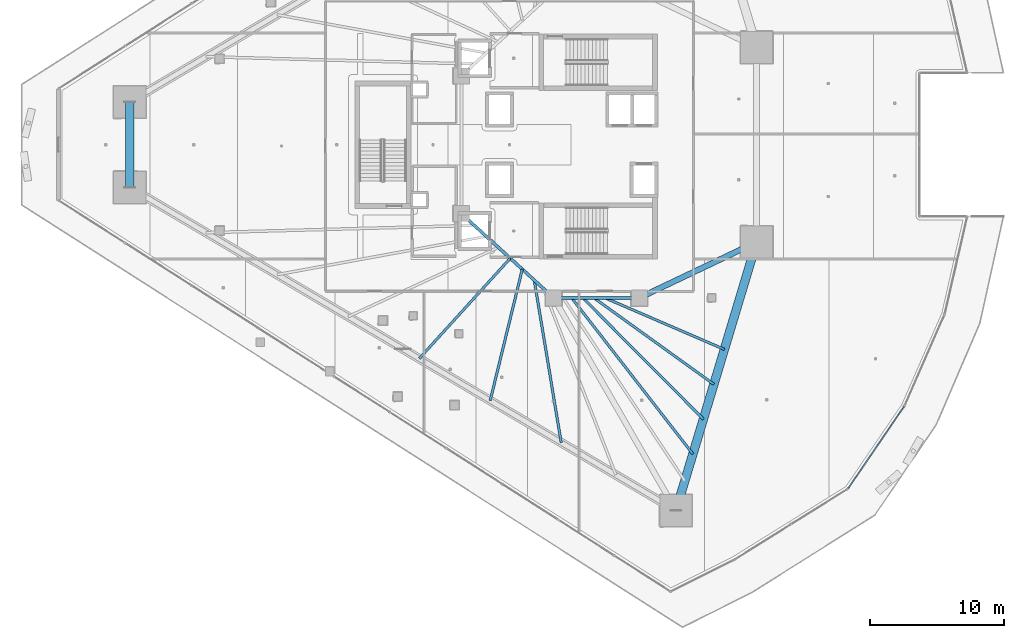
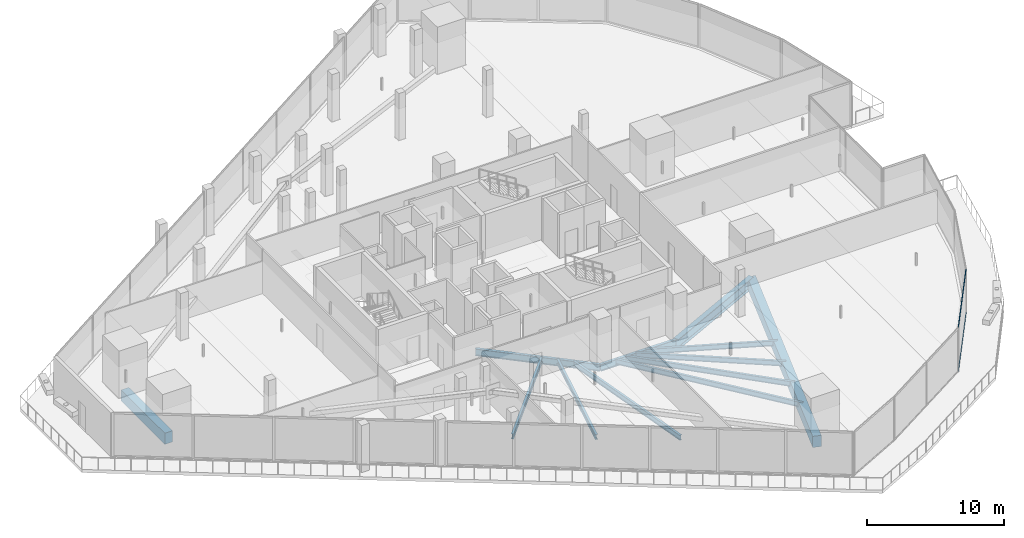
# One storey, part 11 of 45: 12 beams, 2 members, 1 element without a shape of its own.
"""IFC4 building model written with IfcOpenShell, lengths in metres."""

import ifcopenshell
import ifcopenshell.guid

model = None  # the IFC model being written
_history = None  # IfcOwnerHistory: only IFC2X3 demands one
_inside = {}  # id of a spatial element -> (the spatial element, [elements in it])
_under = {}  # id of a project, library or spatial element -> (it, [spatial elements below it])
_declared = {}  # id of a project -> (the project, [libraries it declares])
_typed = {}  # id of a type object -> (the type object, [elements of that type])
_made_of = {}  # id of a material, layer set ... -> (it, [elements and type objects made of it])


def new_model(schema):
    """Start an empty IFC model of exactly this schema.

    Asked for "IFC4X3", IfcOpenShell would pick the latest addendum, in which some entities
    have other attributes; the version numbers below select the first issue.
    IFC2X3 requires an IfcOwnerHistory on every rooted entity: one is made here for all.
    """
    global model, _history
    if schema == "IFC4X3":
        model = ifcopenshell.file(schema_version=(4, 3, 0, 0))
    else:
        model = ifcopenshell.file(schema=schema)
    _inside.clear()
    _under.clear()
    _declared.clear()
    _typed.clear()
    _made_of.clear()
    _history = None
    if model.schema == "IFC2X3":
        org = make("IfcOrganization", Name="unknown")
        user = make(
            "IfcPersonAndOrganization",
            ThePerson=make("IfcPerson", FamilyName="unknown"),
            TheOrganization=org,
        )
        app = make(
            "IfcApplication",
            ApplicationDeveloper=org,
            Version="unknown",
            ApplicationFullName="unknown",
            ApplicationIdentifier="unknown",
        )
        _history = make(
            "IfcOwnerHistory",
            OwningUser=user,
            OwningApplication=app,
            ChangeAction="ADDED",
            CreationDate=0,
        )
    return model


def make(cls, **values):
    """One entity of the class cls with the attributes given. An attribute that is None is left unset."""
    return model.create_entity(
        cls, **{name: value for name, value in values.items() if value is not None}
    )


def rooted(cls, **values):
    """An entity with a GlobalId (a new one), such as an element, a storey or a relation."""
    return make(cls, GlobalId=ifcopenshell.guid.new(), OwnerHistory=_history, **values)


def si_unit(unit_type, name, prefix=None):
    """IfcSIUnit, for example si_unit("LENGTHUNIT", "METRE", prefix="MILLI")."""
    return make("IfcSIUnit", UnitType=unit_type, Prefix=prefix, Name=name)


def assignment(units):
    """IfcUnitAssignment: the units of a project."""
    return None if units is None else make("IfcUnitAssignment", Units=units)


def point(xyz):
    """IfcCartesianPoint."""
    return None if xyz is None else make("IfcCartesianPoint", Coordinates=xyz)


def direction(xyz):
    """IfcDirection."""
    return None if xyz is None else make("IfcDirection", DirectionRatios=xyz)


def frame(location, z_axis=None, x_axis=None):
    """IfcAxis2Placement3D, a coordinate frame: its origin and axes. An axis left out is left unset."""
    return make(
        "IfcAxis2Placement3D",
        Location=point(location),
        Axis=direction(z_axis),
        RefDirection=direction(x_axis),
    )


def frame_2d(location, x_axis=None):
    """IfcAxis2Placement2D, a coordinate frame in the plane: its origin and x axis."""
    return make(
        "IfcAxis2Placement2D", Location=point(location), RefDirection=direction(x_axis)
    )


def origin():
    """The frame at (0, 0, 0) with its axes left unset."""
    return frame((0.0, 0.0, 0.0))


def origin_2d():
    """The frame at (0, 0) in the plane with its x axis left unset."""
    return frame_2d((0.0, 0.0))


def place(relative_to, where):
    """IfcLocalPlacement: puts the frame where relative to a parent placement (None: the world)."""
    return make(
        "IfcLocalPlacement", PlacementRelTo=relative_to, RelativePlacement=where
    )


def context(
    kind, dimensions, precision=None, world=None, true_north=None, identifier=None
):
    """IfcGeometricRepresentationContext, for example the 3D "Model" context."""
    return make(
        "IfcGeometricRepresentationContext",
        ContextIdentifier=identifier,
        ContextType=kind,
        CoordinateSpaceDimension=dimensions,
        Precision=precision,
        WorldCoordinateSystem=world,
        TrueNorth=true_north,
    )


def subcontext(parent, identifier, kind, view, scale=None):
    """IfcGeometricRepresentationSubContext, for example "Body" below "Model"."""
    return make(
        "IfcGeometricRepresentationSubContext",
        ContextIdentifier=identifier,
        ContextType=kind,
        ParentContext=parent,
        TargetScale=scale,
        TargetView=view,
    )


def project(units=None, contexts=None):
    """IfcProject with its units and contexts."""
    return rooted(
        "IfcProject",
        Name="project",
        RepresentationContexts=contexts,
        UnitsInContext=assignment(units),
    )


def spatial(cls, under=None, at=None, **own):
    """A site, building, storey or space (cls), placed at a placement, below another one or the project."""
    s = rooted(cls, ObjectPlacement=at, **own)
    if under is not None:
        _under.setdefault(under.id(), (under, []))[1].append(s)
    return s


def profile(cls, at=None, kind="AREA", **sizes):
    """A parametric profile (cls). Its sizes go by their IFC names, for example OverallWidth=200.0."""
    return make(cls, ProfileType=kind, Position=at, **sizes)


def rectangle(**sizes):
    """IfcRectangleProfileDef."""
    return profile("IfcRectangleProfileDef", **sizes)


def hollow_rectangle(**sizes):
    """IfcRectangleHollowProfileDef."""
    return profile("IfcRectangleHollowProfileDef", **sizes)


def i_section(**sizes):
    """IfcIShapeProfileDef."""
    return profile("IfcIShapeProfileDef", **sizes)


def extrude(swept, where, along, depth):
    """IfcExtrudedAreaSolid: the profile swept, set in the frame where, extruded along a direction by depth."""
    return make(
        "IfcExtrudedAreaSolid",
        SweptArea=swept,
        Position=where,
        ExtrudedDirection=direction(along),
        Depth=depth,
    )


def shape(context_of_items, identifier, shape_type, items):
    """IfcShapeRepresentation: the items that make up one representation, for example the "Body"."""
    return make(
        "IfcShapeRepresentation",
        ContextOfItems=context_of_items,
        RepresentationIdentifier=identifier,
        RepresentationType=shape_type,
        Items=items,
    )


def material(Name=None, Category=None):
    """IfcMaterial."""
    return make("IfcMaterial", Name=Name, Category=Category)


def layer(
    of_material, thickness, ventilated=None, Name=None, Category=None, Priority=None
):
    """IfcMaterialLayer: one layer of a wall or slab, of a material (None: an air gap)."""
    return make(
        "IfcMaterialLayer",
        Material=of_material,
        LayerThickness=thickness,
        IsVentilated=ventilated,
        Name=Name,
        Category=Category,
        Priority=Priority,
    )


def layer_set(layers, Name=None):
    """IfcMaterialLayerSet."""
    return make("IfcMaterialLayerSet", MaterialLayers=layers, LayerSetName=Name)


def material_profile(
    of_material, cross_section, Name=None, Category=None, Priority=None
):
    """IfcMaterialProfile: a cross section and its material."""
    return make(
        "IfcMaterialProfile",
        Name=Name,
        Material=of_material,
        Profile=cross_section,
        Priority=Priority,
        Category=Category,
    )


def profile_set(profiles, Name=None, composite=None):
    """IfcMaterialProfileSet."""
    return make(
        "IfcMaterialProfileSet",
        Name=Name,
        MaterialProfiles=profiles,
        CompositeProfile=composite,
    )


def made_of(thing, what):
    """Note that an element or type object is made of a material, layer set ...; save() writes the relation."""
    if what is not None:
        _made_of.setdefault(what.id(), (what, []))[1].append(thing)
    return thing


def type_object(cls, material=None, **own):
    """A type object (cls), such as IfcWallType, which elements share."""
    return made_of(rooted(cls, **own), material)


def element(
    cls,
    number,
    at=None,
    inside=None,
    cuts=None,
    type_object=None,
    material=None,
    context=None,
    identifier="Body",
    shape_type=None,
    held_by="IfcProductDefinitionShape",
    body=None,
    shapes=None,
    **own,
):
    """One element of the class cls, such as IfcWall. Its Tag is "e" and its number.

    at: its placement. inside: the storey or other place that contains it. cuts: it is an
    opening in that element (IfcRelVoidsElement). A single representation is given by context,
    identifier, shape_type and body (its items); several are given by shapes. held_by: the class
    of the entity that holds the representations. save() writes the other relations.
    """
    e = rooted(cls, Tag="e%d" % number, ObjectPlacement=at, **own)
    if body is not None:
        shapes = [shape(context, identifier, shape_type, body)]
    if shapes is not None:
        e.Representation = make(held_by, Representations=shapes)
    if inside is not None:
        _inside.setdefault(inside.id(), (inside, []))[1].append(e)
    if cuts is not None:
        rooted(
            "IfcRelVoidsElement", RelatingBuildingElement=cuts, RelatedOpeningElement=e
        )
    if type_object is not None:
        _typed.setdefault(type_object.id(), (type_object, []))[1].append(e)
    return made_of(e, material)


def aggregate(whole, parts):
    """IfcRelAggregates: a whole, such as a stair, and the parts it consists of."""
    return rooted("IfcRelAggregates", RelatingObject=whole, RelatedObjects=parts)


def save(model, path):
    """Write the relations noted so far, then the file.

    IfcRelAggregates (storeys below a building ...), IfcRelContainedInSpatialStructure (elements
    in a storey), IfcRelDefinesByType, IfcRelAssociatesMaterial and IfcRelDeclares: one each for
    every whole, place, type object, material and project.
    """
    for whole, parts in _under.values():
        aggregate(whole, parts)
    for where, things in _inside.values():
        rooted(
            "IfcRelContainedInSpatialStructure",
            RelatedElements=things,
            RelatingStructure=where,
        )
    for kind, things in _typed.values():
        rooted("IfcRelDefinesByType", RelatedObjects=things, RelatingType=kind)
    for what, things in _made_of.values():
        rooted("IfcRelAssociatesMaterial", RelatedObjects=things, RelatingMaterial=what)
    for by, libraries in _declared.values():
        rooted("IfcRelDeclares", RelatingContext=by, RelatedDefinitions=libraries)
    model.write(path)


model = new_model("IFC4")

# Units and contexts
model_context = context("Model", 3, precision=1e-05, world=origin(), true_north=direction((0.0, 1.0)))
body_context = subcontext(model_context, "Body", "Model", "MODEL_VIEW")
ifc_project = project(units=[si_unit("LENGTHUNIT", "METRE"), si_unit("AREAUNIT", "SQUARE_METRE"), si_unit("VOLUMEUNIT", "CUBIC_METRE"), si_unit("PLANEANGLEUNIT", "RADIAN"), si_unit("MASSUNIT", "GRAM", prefix="KILO")], contexts=[model_context])

# Site, building, storey
site_placement = place(None, origin())
site = spatial("IfcSite", under=ifc_project, at=site_placement, CompositionType="ELEMENT")
building_placement = place(site_placement, origin())
building = spatial("IfcBuilding", under=site, at=building_placement, Name="Qorvath Tower", CompositionType="ELEMENT")
storey_placement = place(building_placement, frame((0.0, 0.0, 49.199951171875)))
storey = spatial("IfcBuildingStorey", under=building, at=storey_placement, Name="L10", CompositionType="ELEMENT", Elevation=49.199951171875)

# Beams
ifc_material_1 = material(Name="Steel ASTM A992 Grade 50", Category="steel")
ifc_material_profile_1 = material_profile(ifc_material_1, i_section(OverallWidth=0.422119140625, OverallDepth=0.93310546875, WebThickness=0.021240234375, FlangeThickness=0.039794921875, FilletRadius=0.02392578125, at=origin_2d()), Name="W36x262")
ifc_profile_set_1 = profile_set([ifc_material_profile_1], Name="Steel ASTM A992 Grade 50")
beam_type_1 = type_object("IfcBeamType", Name="BM-FG1", PredefinedType="BEAM", material=ifc_profile_set_1)
beam_1_placement = place(storey_placement, frame((-17.199951171875, -11.449951171875, -0.74658203125), z_axis=(0.902955751435, 0.429733534821, 0.0), x_axis=(-0.429733534821, 0.902955751435, 0.0)))
element("IfcBeam", 1, at=beam_1_placement, inside=storey, type_object=beam_type_1, Name="Radial Floor Girder CC3-MC4 L10", PredefinedType="BEAM", context=body_context, shape_type="SweptSolid", body=[
    extrude(i_section(OverallWidth=0.422119140625, OverallDepth=0.93310546875, WebThickness=0.021240234375, FlangeThickness=0.039794921875, FilletRadius=0.02392578125, at=origin_2d()), origin(), (0.0, 0.0, 1.0), 9.7119140625),
])
ifc_material_2 = material(Name="Steel ASTM A992 Grade 50", Category="steel")
ifc_material_profile_2 = material_profile(ifc_material_2, i_section(OverallWidth=0.22998046875, OverallDepth=0.616943359375, WebThickness=0.01318359375, FlangeThickness=0.022216796875, FilletRadius=0.014892578125, at=origin_2d()), Name="W24x94")
ifc_profile_set_2 = profile_set([ifc_material_profile_2], Name="Steel ASTM A992 Grade 50")
beam_type_2 = type_object("IfcBeamType", Name="BM-FG6", PredefinedType="BEAM", material=ifc_profile_set_2)
beam_2_placement = place(storey_placement, frame((-17.199951171875, -11.449951171875, -0.588623046875), z_axis=(-1.0, 0.0, 0.0), x_axis=(0.0, -1.0, 0.0)))
element("IfcBeam", 2, at=beam_2_placement, inside=storey, type_object=beam_type_2, Name="Core Ring Girder CC3-CC4 L10", PredefinedType="BEAM", context=body_context, shape_type="SweptSolid", body=[
    extrude(i_section(OverallWidth=0.22998046875, OverallDepth=0.616943359375, WebThickness=0.01318359375, FlangeThickness=0.022216796875, FilletRadius=0.014892578125, at=origin_2d()), origin(), (0.0, 0.0, 1.0), 6.400146484375),
])
beam_3_placement = place(storey_placement, frame((-23.60009765625, -11.449951171875, -0.588623046875), z_axis=(-0.73847813985, 0.6742774184, 0.0), x_axis=(-0.6742774184, -0.73847813985, 0.0)))
element("IfcBeam", 3, at=beam_3_placement, inside=storey, type_object=beam_type_2, Name="Core Ring Girder CC4-CC6 L10", PredefinedType="BEAM", context=body_context, shape_type="SweptSolid", body=[
    extrude(i_section(OverallWidth=0.22998046875, OverallDepth=0.616943359375, WebThickness=0.01318359375, FlangeThickness=0.022216796875, FilletRadius=0.014892578125, at=origin_2d()), origin(), (0.0, 0.0, 1.0), 9.343505859375),
])
ifc_material_3 = material(Name="Steel ASTM A992 Grade 50", Category="steel")
ifc_material_profile_3 = material_profile(ifc_material_3, i_section(OverallWidth=0.18994140625, OverallDepth=0.45703125, WebThickness=0.009033203125, FlangeThickness=0.014404296875, FilletRadius=0.011962890625, at=origin_2d()), Name="W18x50")
ifc_profile_set_3 = profile_set([ifc_material_profile_3], Name="Steel ASTM A992 Grade 50")
beam_type_3 = type_object("IfcBeamType", Name="BM-FJ2", PredefinedType="JOIST", material=ifc_profile_set_3)
beam_4_placement = place(storey_placement, frame((-19.760009765625, -11.449951171875, -0.508544921875), z_axis=(0.918135537923, -0.396266493667, 0.0), x_axis=(0.396266493667, 0.918135537923, 0.0)))
element("IfcBeam", 4, at=beam_4_placement, inside=storey, type_object=beam_type_3, Name="Composite Floor Joist SE3 L10", PredefinedType="JOIST", context=body_context, shape_type="SweptSolid", body=[
    extrude(i_section(OverallWidth=0.18994140625, OverallDepth=0.45703125, WebThickness=0.009033203125, FlangeThickness=0.014404296875, FilletRadius=0.011962890625, at=origin_2d()), origin(), (0.0, 0.0, 1.0), 9.7109375),
])
beam_5_placement = place(storey_placement, frame((-20.592041015625, -11.449951171875, -0.508544921875), z_axis=(0.811469358397, -0.584394969505, 0.0), x_axis=(0.584394969505, 0.811469358397, 0.0)))
element("IfcBeam", 5, at=beam_5_placement, inside=storey, type_object=beam_type_3, Name="Composite Floor Joist SE4 L10", PredefinedType="JOIST", context=body_context, shape_type="SweptSolid", body=[
    extrude(i_section(OverallWidth=0.18994140625, OverallDepth=0.45703125, WebThickness=0.009033203125, FlangeThickness=0.014404296875, FilletRadius=0.011962890625, at=origin_2d()), origin(), (0.0, 0.0, 1.0), 11.046142578125),
])
beam_6_placement = place(storey_placement, frame((-21.424072265625, -11.449951171875, -0.508544921875), z_axis=(0.705107654599, -0.709100271771, 0.0), x_axis=(0.709100271771, 0.705107654599, 0.0)))
element("IfcBeam", 6, at=beam_6_placement, inside=storey, type_object=beam_type_3, Name="Composite Floor Joist SE5 L10", PredefinedType="JOIST", context=body_context, shape_type="SweptSolid", body=[
    extrude(i_section(OverallWidth=0.18994140625, OverallDepth=0.45703125, WebThickness=0.009033203125, FlangeThickness=0.014404296875, FilletRadius=0.011962890625, at=origin_2d()), origin(), (0.0, 0.0, 1.0), 12.780029296875),
])
beam_7_placement = place(storey_placement, frame((-22.256103515625, -11.449951171875, -0.508544921875), z_axis=(0.613206963859, -0.789922286984, 0.0), x_axis=(0.789922286984, 0.613206963859, 0.0)))
element("IfcBeam", 7, at=beam_7_placement, inside=storey, type_object=beam_type_3, Name="Composite Floor Joist SE6 L10", PredefinedType="JOIST", context=body_context, shape_type="SweptSolid", body=[
    extrude(i_section(OverallWidth=0.18994140625, OverallDepth=0.45703125, WebThickness=0.009033203125, FlangeThickness=0.014404296875, FilletRadius=0.011962890625, at=origin_2d()), origin(), (0.0, 0.0, 1.0), 14.77294921875),
])
beam_8_placement = place(storey_placement, frame((-26.843017578125, -8.489013671875, -0.508544921875), z_axis=(-0.672128980215, -0.740434084815, 0.0), x_axis=(0.740434084815, -0.672128980215, 0.0)))
element("IfcBeam", 8, at=beam_8_placement, inside=storey, type_object=beam_type_3, Name="Composite Floor Joist SW4 L10", PredefinedType="JOIST", context=body_context, shape_type="SweptSolid", body=[
    extrude(i_section(OverallWidth=0.18994140625, OverallDepth=0.45703125, WebThickness=0.009033203125, FlangeThickness=0.014404296875, FilletRadius=0.011962890625, at=origin_2d()), origin(), (0.0, 0.0, 1.0), 10.1259765625),
])
beam_9_placement = place(storey_placement, frame((-25.946044921875, -9.30810546875, -0.508544921875), z_axis=(-0.237165308581, -0.97146930801, 0.0), x_axis=(0.97146930801, -0.237165308581, 0.0)))
element("IfcBeam", 9, at=beam_9_placement, inside=storey, type_object=beam_type_3, Name="Composite Floor Joist SW5 L10", PredefinedType="JOIST", context=body_context, shape_type="SweptSolid", body=[
    extrude(i_section(OverallWidth=0.18994140625, OverallDepth=0.45703125, WebThickness=0.009033203125, FlangeThickness=0.014404296875, FilletRadius=0.011962890625, at=origin_2d()), origin(), (0.0, 0.0, 1.0), 10.104736328125),
])
beam_10_placement = place(storey_placement, frame((-25.049072265625, -10.126953125, -0.508544921875), z_axis=(0.163639384475, -0.98652022374, 0.0), x_axis=(0.98652022374, 0.163639384475, 0.0)))
element("IfcBeam", 10, at=beam_10_placement, inside=storey, type_object=beam_type_3, Name="Composite Floor Joist SW6 L10", PredefinedType="JOIST", context=body_context, shape_type="SweptSolid", body=[
    extrude(i_section(OverallWidth=0.18994140625, OverallDepth=0.45703125, WebThickness=0.009033203125, FlangeThickness=0.014404296875, FilletRadius=0.011962890625, at=origin_2d()), origin(), (0.0, 0.0, 1.0), 12.301025390625),
])
ifc_material_4 = material(Name="Concrete C50/60", Category="concrete")
ifc_material_profile_4 = material_profile(ifc_material_4, rectangle(XDim=0.64990234375, YDim=1.0, at=origin_2d()), Name="RCB 1000x650")
ifc_profile_set_4 = profile_set([ifc_material_profile_4], Name="Concrete C50/60")
beam_type_4 = type_object("IfcBeamType", Name="BM-RCB1", PredefinedType="SPANDREL", material=ifc_profile_set_4)
beam_11_placement = place(storey_placement, frame((-55.282958984375, 3.194580078125, -0.780029296875), z_axis=(0.0, -1.0, 0.0), x_axis=(1.0, 0.0, 0.0)))
element("IfcBeam", 11, at=beam_11_placement, inside=storey, type_object=beam_type_4, Name="Perimeter Loggia Frame Beam MC1-MC2 L10", PredefinedType="SPANDREL", context=body_context, shape_type="SweptSolid", body=[
    extrude(rectangle(XDim=0.64990234375, YDim=1.0, at=origin_2d()), origin(), (0.0, 0.0, 1.0), 6.38916015625),
])
beam_12_placement = place(storey_placement, frame((-14.46435546875, -27.330810546875, -0.780029296875), z_axis=(0.288118908799, 0.957594639914, 0.0), x_axis=(-0.957594639914, 0.288118908799, 0.0)))
element("IfcBeam", 12, at=beam_12_placement, inside=storey, type_object=beam_type_4, Name="Perimeter Loggia Frame Beam MC3-MC4 L10", PredefinedType="SPANDREL", context=body_context, shape_type="SweptSolid", body=[
    extrude(rectangle(XDim=0.64990234375, YDim=1.0, at=origin_2d()), origin(), (0.0, 0.0, 1.0), 20.942626953125),
])

# Curtain wall, members
ifc_material_5 = material(Name="Anodised aluminium and triple low-E glass", Category="aluminium")
ifc_layer = layer(ifc_material_5, 0.179931640625)
ifc_layer_set = layer_set([ifc_layer], Name="CW-SYS-2")
curtain_wall_type = type_object("IfcCurtainWallType", Name="CW-SYS-2", PredefinedType="NOTDEFINED", material=ifc_layer_set)
curtain_wall_placement = place(storey_placement, origin())
curtain_wall = element("IfcCurtainWall", 13, at=curtain_wall_placement, inside=storey, type_object=curtain_wall_type, Name="Curtain Wall CW-2 CW-T-L10-5.1", PredefinedType="NOTDEFINED")
ifc_material_6 = material(Name="Anodised aluminium 6063-T6", Category="aluminium")
ifc_material_profile_5 = material_profile(ifc_material_6, hollow_rectangle(XDim=0.06494140625, YDim=0.159912109375, WallThickness=0.00341796875, InnerFilletRadius=0.00341796875, OuterFilletRadius=0.007080078125, at=origin_2d()), Name="CWT 160x65")
ifc_profile_set_5 = profile_set([ifc_material_profile_5], Name="Anodised aluminium 6063-T6")
member_type = type_object("IfcMemberType", Name="CWT-160", PredefinedType="USERDEFINED", material=ifc_profile_set_5)
member_1_placement = place(storey_placement, frame((-1.567626953125, -25.6669921875, 0.032470703125), z_axis=(0.56390431925, 0.825840129039, 0.0), x_axis=(-0.825840129039, 0.56390431925, 0.0)))
member_1 = element("IfcMember", 14, at=member_1_placement, type_object=member_type, Name="CW-2 transom 1.1", ObjectType="TRANSOM", PredefinedType="USERDEFINED", context=body_context, shape_type="SweptSolid", body=[
    extrude(hollow_rectangle(XDim=0.06494140625, YDim=0.159912109375, WallThickness=0.00341796875, InnerFilletRadius=0.00341796875, OuterFilletRadius=0.007080078125, at=origin_2d()), origin(), (0.0, 0.0, 1.0), 7.366943359375),
])
member_2_placement = place(storey_placement, frame((-1.567626953125, -25.6669921875, 3.8876953125), z_axis=(0.56390431925, 0.825840129039, 0.0), x_axis=(-0.825840129039, 0.56390431925, 0.0)))
member_2 = element("IfcMember", 15, at=member_2_placement, type_object=member_type, Name="CW-2 transom 1.2", ObjectType="TRANSOM", PredefinedType="USERDEFINED", context=body_context, shape_type="SweptSolid", body=[
    extrude(hollow_rectangle(XDim=0.06494140625, YDim=0.159912109375, WallThickness=0.00341796875, InnerFilletRadius=0.00341796875, OuterFilletRadius=0.007080078125, at=origin_2d()), origin(), (0.0, 0.0, 1.0), 7.366943359375),
])
aggregate(curtain_wall, [member_1, member_2])

save(model, "model.ifc")
